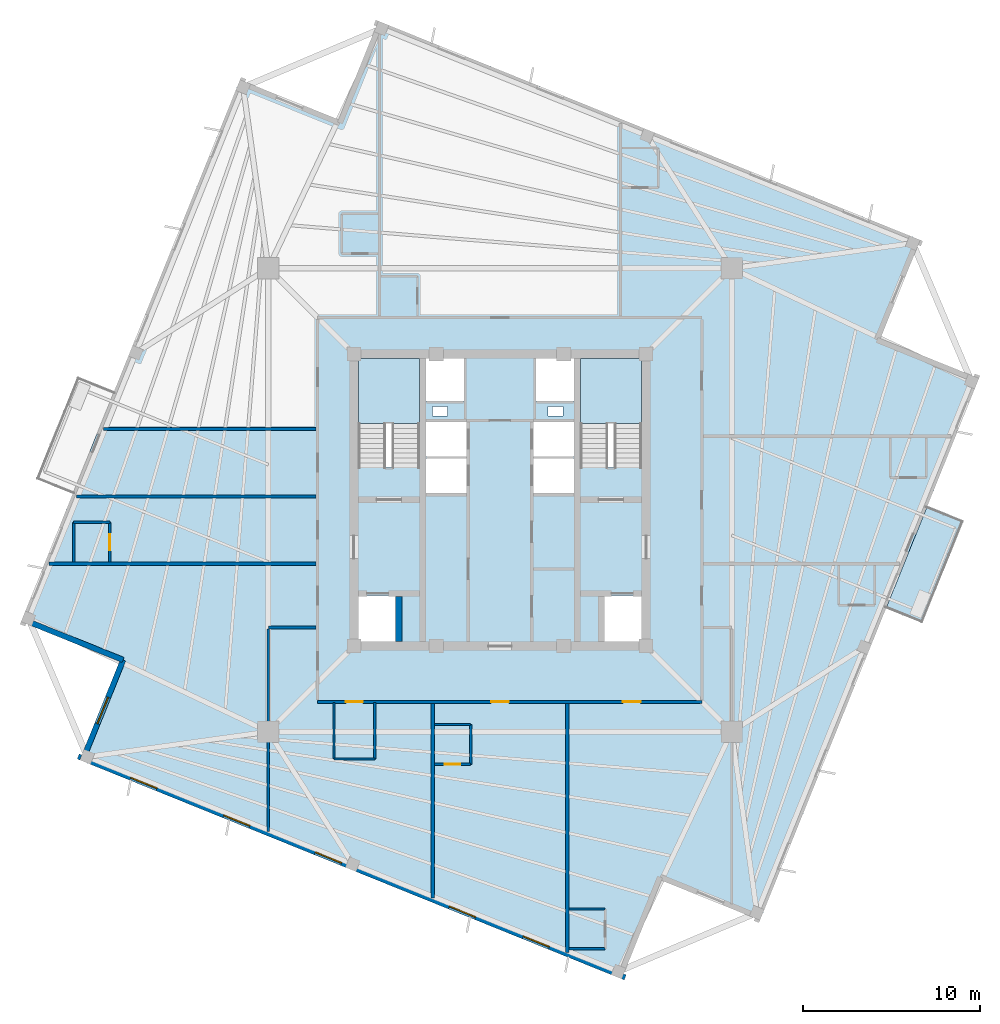
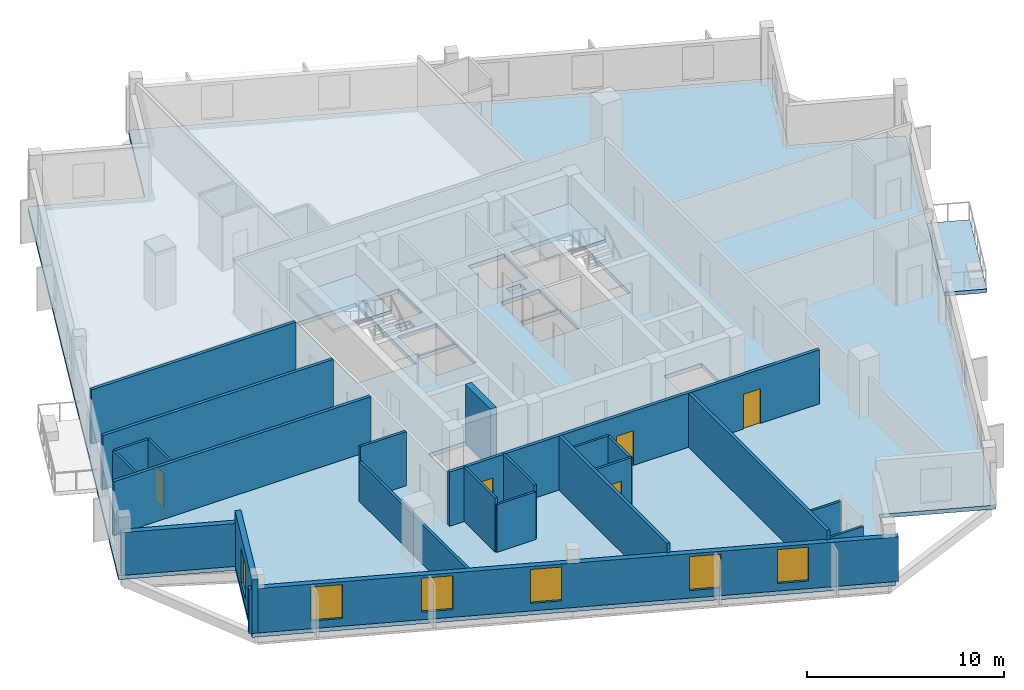
# One storey, part 2 of 8: 23 walls, 6 windows, 5 doors, 4 slabs, 11 openings, 2 elements without a shape of their own.
"""IFC4 building model written with IfcOpenShell, lengths in metres."""

from ifc_helpers import new_model, si_unit, direction, frame, frame_2d, origin, place, context, subcontext, project, spatial, polyline, rectangle, outline, extrude, source, transform, mapped, material, layer, layer_set, type_object, element, fill, aggregate, save


model = new_model("IFC4")

# Units and contexts
model_context = context("Model", 3, precision=1e-05, world=origin(), true_north=direction((0.0, 1.0)))
body_context = subcontext(model_context, "Body", "Model", "MODEL_VIEW")
ifc_project = project(units=[si_unit("LENGTHUNIT", "METRE"), si_unit("AREAUNIT", "SQUARE_METRE"), si_unit("VOLUMEUNIT", "CUBIC_METRE"), si_unit("PLANEANGLEUNIT", "RADIAN"), si_unit("MASSUNIT", "GRAM", prefix="KILO"), si_unit("THERMODYNAMICTEMPERATUREUNIT", "KELVIN")], contexts=[model_context])

# Site, building, storey
site_placement = place(None, origin())
site = spatial("IfcSite", under=ifc_project, at=site_placement, CompositionType="ELEMENT")
building_placement = place(site_placement, origin())
building = spatial("IfcBuilding", under=site, at=building_placement, Name="Kosmvard Interchange Tower", CompositionType="ELEMENT")
storey_placement = place(building_placement, frame((0.0, 0.0, 268.800048828125)))
storey = spatial("IfcBuildingStorey", under=building, at=storey_placement, Name="L65", CompositionType="ELEMENT", Elevation=268.800048828125)

# Slab
ifc_material_1 = material(Name="Concrete C50/60", Category="concrete")
ifc_layer_1 = layer(ifc_material_1, 0.25, Name="Concrete C50/60")
ifc_layer_set_1 = layer_set([ifc_layer_1], Name="Concrete C50/60")
slab_type_1 = type_object("IfcSlabType", Name="Hotel Acoustic Floor Slab 250 C50/60", PredefinedType="FLOOR", material=ifc_layer_set_1)
slab_1_placement = place(storey_placement, frame((0.0, 0.0, -0.25)))
element("IfcSlab", 1, at=slab_1_placement, inside=storey, type_object=slab_type_1, Name="L65 Structural Floor Slab", PredefinedType="FLOOR", context=body_context, shape_type="SweptSolid", body=[
    extrude(outline(polyline([(14.6806640625, -23.727294921875), (27.042724609375, 6.869873046875), (21.4794921875, 9.117431640625), (23.727294921875, 14.6806640625), (-6.869873046875, 27.042724609375), (-9.117431640625, 21.4794921875), (-14.6806640625, 23.727294921875), (-27.042724609375, -6.869873046875), (-21.4794921875, -9.117431640625), (-23.727294921875, -14.6806640625), (6.869873046875, -27.042724609375), (9.117431640625, -21.4794921875), (14.6806640625, -23.727294921875)]), holes=[polyline([(-8.0, 1.8349609375), (-4.5400390625, 1.8349609375), (-4.5400390625, 8.0), (-8.0, 8.0), (-8.0, 1.8349609375)]), polyline([(4.5400390625, 1.8349609375), (8.0, 1.8349609375), (8.0, 8.0), (4.5400390625, 8.0), (4.5400390625, 1.8349609375)]), polyline([(-8.0, -8.0), (-5.800048828125, -8.0), (-5.800048828125, -5.39990234375), (-8.0, -5.39990234375), (-8.0, -8.0)]), polyline([(5.800048828125, -8.0), (8.0, -8.0), (8.0, -5.39990234375), (5.800048828125, -5.39990234375), (5.800048828125, -8.0)]), polyline([(-4.179931640625, 0.39990234375), (-1.8798828125, 0.39990234375), (-1.8798828125, 2.340087890625), (-4.179931640625, 2.340087890625), (-4.179931640625, 0.39990234375)]), polyline([(-4.179931640625, 2.4599609375), (-1.8798828125, 2.4599609375), (-1.8798828125, 4.39990234375), (-4.179931640625, 4.39990234375), (-4.179931640625, 2.4599609375)]), polyline([(1.8798828125, 0.39990234375), (4.179931640625, 0.39990234375), (4.179931640625, 2.340087890625), (1.8798828125, 2.340087890625), (1.8798828125, 0.39990234375)]), polyline([(1.8798828125, 2.4599609375), (4.179931640625, 2.4599609375), (4.179931640625, 4.39990234375), (1.8798828125, 4.39990234375), (1.8798828125, 2.4599609375)]), polyline([(-4.179931640625, 5.60009765625), (-2.0400390625, 5.60009765625), (-2.0400390625, 8.0), (-4.179931640625, 8.0), (-4.179931640625, 5.60009765625)]), polyline([(2.0400390625, 5.60009765625), (4.179931640625, 5.60009765625), (4.179931640625, 8.0), (2.0400390625, 8.0), (2.0400390625, 5.60009765625)]), polyline([(-3.81494140625, 4.739990234375), (-2.965087890625, 4.739990234375), (-2.965087890625, 5.2900390625), (-3.81494140625, 5.2900390625), (-3.81494140625, 4.739990234375)]), polyline([(2.715087890625, 4.739990234375), (3.56494140625, 4.739990234375), (3.56494140625, 5.2900390625), (2.715087890625, 5.2900390625), (2.715087890625, 4.739990234375)])]), origin(), (0.0, 0.0, 1.0), 0.25),
])

# Stair, slab
stair_type = type_object("IfcStairType", Name="Dog-Leg Core Exit Stair H3600 C50/60", PredefinedType="HALF_TURN_STAIR", material=ifc_material_1)
stair_1_placement = place(storey_placement, origin())
stair_1 = element("IfcStair", 2, at=stair_1_placement, inside=storey, type_object=stair_type, Name="L65 Protected Exit Stair ST-1", PredefinedType="HALF_TURN_STAIR")
ifc_layer_2 = layer(ifc_material_1, 0.199951171875, Name="Concrete C50/60")
ifc_layer_set_2 = layer_set([ifc_layer_2], Name="Concrete C50/60")
slab_type_2 = type_object("IfcSlabType", Name="Stair Half-Landing Slab 200 C50/60", PredefinedType="LANDING", material=ifc_layer_set_2)
slab_2_placement = place(storey_placement, frame((0.0, 0.0, 1.599853515625)))
slab_2 = element("IfcSlab", 3, at=slab_2_placement, type_object=slab_type_2, Name="ST-1 landing 1", PredefinedType="LANDING", context=body_context, shape_type="SweptSolid", body=[
    extrude(outline(polyline([(-4.5400390625, 4.320068359375), (-4.5400390625, 8.0), (-8.0, 8.0), (-8.0, 4.320068359375), (-4.5400390625, 4.320068359375)])), origin(), (0.0, 0.0, 1.0), 0.2001953125),
])
aggregate(stair_1, [slab_2])

stair_2_placement = place(storey_placement, origin())
stair_2 = element("IfcStair", 4, at=stair_2_placement, inside=storey, type_object=stair_type, Name="L65 Protected Exit Stair ST-2", PredefinedType="HALF_TURN_STAIR")
slab_3_placement = place(storey_placement, frame((0.0, 0.0, 1.599853515625)))
slab_3 = element("IfcSlab", 5, at=slab_3_placement, type_object=slab_type_2, Name="ST-2 landing 1", PredefinedType="LANDING", context=body_context, shape_type="SweptSolid", body=[
    extrude(outline(polyline([(8.0, 4.320068359375), (8.0, 8.0), (4.5400390625, 8.0), (4.5400390625, 4.320068359375), (8.0, 4.320068359375)])), origin(), (0.0, 0.0, 1.0), 0.2001953125),
])
aggregate(stair_2, [slab_3])

# Slab
ifc_layer_3 = layer(ifc_material_1, 0.22998046875, Name="Concrete C50/60")
ifc_layer_set_3 = layer_set([ifc_layer_3], Name="Concrete C50/60")
slab_type_3 = type_object("IfcSlabType", Name="Tree-Planter Cantilever Balcony Slab 230 C50/60", PredefinedType="FLOOR", material=ifc_layer_set_3)
slab_4_placement = place(storey_placement, frame((0.0, 0.0, -0.22998046875)))
element("IfcSlab", 6, at=slab_4_placement, inside=storey, type_object=slab_type_3, Name="L65 Outdoor Terrace Balcony Slab BAL-L65-SW", PredefinedType="FLOOR", context=body_context, shape_type="SweptSolid", body=[
    extrude(outline(polyline([(23.837890625, -6.934814453125), (26.160400390625, -1.186279296875), (24.12060546875, -0.362060546875), (21.798095703125, -6.110595703125), (23.837890625, -6.934814453125)])), origin(), (0.0, 0.0, 1.0), 0.22998046875),
])

# Walls
ifc_material_2 = material(Name="Acoustic gypsum partition system")
ifc_layer_4 = layer(ifc_material_2, 0.14990234375, Name="Acoustic gypsum partition system")
ifc_layer_set_4 = layer_set([ifc_layer_4], Name="Acoustic gypsum partition system")
wall_type_1 = type_object("IfcWallType", Name="Acoustic Suite & Meeting Partition 150", PredefinedType="PARTITIONING", material=ifc_layer_set_4)
wall_1_placement = place(storey_placement, frame((-10.39501953125, -7.199951171875, 0.0), z_axis=(0.0, 0.0, 1.0), x_axis=(-1.0, 0.0, 0.0)))
element("IfcWall", 7, at=wall_1_placement, inside=storey, type_object=wall_type_1, Name="L65 Room Partition 12.1", PredefinedType="PARTITIONING", context=body_context, shape_type="SweptSolid", body=[
    extrude(rectangle(XDim=2.68603515625, YDim=0.14990234375, at=frame_2d((1.343017578125, 0.0))), origin(), (0.0, 0.0, 1.0), 3.349853515625),
])
wall_2_placement = place(storey_placement, frame((-13.0810546875, -7.27490234375, 0.0), z_axis=(0.0, 0.0, 1.0), x_axis=(0.0, -1.0, 0.0)))
element("IfcWall", 8, at=wall_2_placement, inside=storey, type_object=wall_type_1, Name="L65 Room Partition 13.1", PredefinedType="PARTITIONING", context=body_context, shape_type="SweptSolid", body=[
    extrude(rectangle(XDim=11.44287109375, YDim=0.14990234375, at=frame_2d((5.721435546875, 0.0))), origin(), (0.0, 0.0, 1.0), 2.449951171875),
])

# Wall, openings, doors
ifc_material_3 = material(Name="Fire-rated gypsum partition system")
ifc_layer_5 = layer(ifc_material_3, 0.179931640625, Name="Fire-rated gypsum partition system")
ifc_layer_set_5 = layer_set([ifc_layer_5], Name="Fire-rated gypsum partition system")
wall_type_2 = type_object("IfcWallType", Name="Corridor & Hotel Compartment Partition 180", PredefinedType="PARTITIONING", material=ifc_layer_set_5)
wall_3_placement = place(storey_placement, frame((-10.300048828125, -11.39990234375, 0.0), z_axis=(0.0, 0.0, 1.0), x_axis=(1.0, 0.0, 0.0)))
wall_3 = element("IfcWall", 9, at=wall_3_placement, inside=storey, type_object=wall_type_2, Name="L65 Corridor Wall CS", PredefinedType="PARTITIONING", context=body_context, shape_type="SweptSolid", body=[
    extrude(rectangle(XDim=21.699951171875, YDim=0.179931640625, at=frame_2d((10.85009765625, 0.0))), origin(), (0.0, 0.0, 1.0), 3.349853515625),
])
opening_1_placement = place(wall_3_placement, frame((1.60498046875, 0.0, 0.0)))
opening_1 = element("IfcOpeningElement", 10, at=opening_1_placement, cuts=wall_3, Name="Opening L65-D01", PredefinedType="OPENING", context=body_context, shape_type="SweptSolid", body=[
    extrude(rectangle(XDim=0.949951171875, YDim=2.10009765625, at=frame_2d((0.47509765625, 1.050048828125))), frame((0.0, 0.10009765625, 0.0), z_axis=(0.0, -1.0, 0.0), x_axis=(1.0, 0.0, 0.0)), (0.0, 0.0, 1.0), 0.199951171875),
])
opening_2_placement = place(wall_3_placement, frame((17.235595703125, 0.0, 0.0)))
opening_2 = element("IfcOpeningElement", 11, at=opening_2_placement, cuts=wall_3, Name="Opening L65-D13", PredefinedType="OPENING", context=body_context, shape_type="SweptSolid", body=[
    extrude(rectangle(XDim=1.0, YDim=2.14990234375, at=frame_2d((0.5, 1.074951171875))), frame((0.0, 0.10009765625, 0.0), z_axis=(0.0, -1.0, 0.0), x_axis=(1.0, 0.0, 0.0)), (0.0, 0.0, 1.0), 0.199951171875),
])
opening_3_placement = place(wall_3_placement, frame((9.800048828125, 0.0, 0.0)))
opening_3 = element("IfcOpeningElement", 12, at=opening_3_placement, cuts=wall_3, Name="Opening L65-D15", PredefinedType="OPENING", context=body_context, shape_type="SweptSolid", body=[
    extrude(rectangle(XDim=1.0, YDim=2.14990234375, at=frame_2d((0.5, 1.074951171875))), frame((0.0, 0.10009765625, 0.0), z_axis=(0.0, -1.0, 0.0), x_axis=(1.0, 0.0, 0.0)), (0.0, 0.0, 1.0), 0.199951171875),
])
ifc_material_4 = material(Name="Laminated moisture-resistant timber", Category="wood")
door_type_1 = type_object("IfcDoorType", Name="Accessible Washroom Door 950x2100", OperationType="NOTDEFINED", PredefinedType="DOOR", material=ifc_material_4)
shared_shape_1 = source(origin(), body_context, "Body", "SweptSolid", [
    extrude(rectangle(XDim=0.949951171875, YDim=2.10009765625, at=frame_2d((0.47509765625, 1.050048828125))), frame((0.0, 0.02490234375, 0.0), z_axis=(0.0, -1.0, 0.0), x_axis=(1.0, 0.0, 0.0)), (0.0, 0.0, 1.0), 0.050048828125),
])
door_1_placement = place(opening_1_placement, frame((0.949951171875, 0.0, 0.0), z_axis=(0.0, 0.0, 1.0), x_axis=(-1.0, 0.0, 0.0)))
door_1 = element("IfcDoor", 13, at=door_1_placement, inside=storey, type_object=door_type_1, Name="L65 Accessible Guest Toilet Door", OperationType="SINGLE_SWING_LEFT", OverallHeight=2.10009765625, OverallWidth=0.949951171875, PredefinedType="DOOR", context=body_context, shape_type="MappedRepresentation", body=[
    mapped(shared_shape_1, transform((0.0, 0.0, 0.0), scale=1.0)),
])
fill(opening_1, door_1)
ifc_material_5 = material(Name="Engineered oak fire-rated timber", Category="wood")
door_type_2 = type_object("IfcDoorType", Name="Hotel Guestroom Entrance Door 1000x2150 EI60", OperationType="NOTDEFINED", PredefinedType="DOOR", material=ifc_material_5)
shared_shape_2 = source(origin(), body_context, "Body", "SweptSolid", [
    extrude(rectangle(XDim=1.0, YDim=2.14990234375, at=frame_2d((0.5, 1.074951171875))), frame((0.0, 0.02490234375, 0.0), z_axis=(0.0, -1.0, 0.0), x_axis=(1.0, 0.0, 0.0)), (0.0, 0.0, 1.0), 0.050048828125),
])
door_2_placement = place(opening_2_placement, frame((1.0, 0.0, 0.0), z_axis=(0.0, 0.0, 1.0), x_axis=(-1.0, 0.0, 0.0)))
door_2 = element("IfcDoor", 14, at=door_2_placement, inside=storey, type_object=door_type_2, Name="L65 Hotel Deluxe Junior Suite 4 Door", OperationType="SINGLE_SWING_LEFT", OverallHeight=2.14990234375, OverallWidth=1.0, PredefinedType="DOOR", context=body_context, shape_type="MappedRepresentation", body=[
    mapped(shared_shape_2, transform((0.0, 0.0, 0.0), scale=1.0)),
])
fill(opening_2, door_2)
door_3_placement = place(opening_3_placement, frame((1.0, 0.0, 0.0), z_axis=(0.0, 0.0, 1.0), x_axis=(-1.0, 0.0, 0.0)))
door_3 = element("IfcDoor", 15, at=door_3_placement, inside=storey, type_object=door_type_2, Name="L65 Hotel South-West Corner Suite 3 Door", OperationType="SINGLE_SWING_LEFT", OverallHeight=2.14990234375, OverallWidth=1.0, PredefinedType="DOOR", context=body_context, shape_type="MappedRepresentation", body=[
    mapped(shared_shape_2, transform((0.0, 0.0, 0.0), scale=1.0)),
])
fill(opening_3, door_3)

# Walls
wall_4_placement = place(storey_placement, frame((3.800048828125, -11.4951171875, 0.0), z_axis=(0.0, 0.0, 1.0), x_axis=(0.0, -1.0, 0.0)))
element("IfcWall", 16, at=wall_4_placement, inside=storey, type_object=wall_type_2, Name="L65 Room Partition 05.1", PredefinedType="PARTITIONING", context=body_context, shape_type="SweptSolid", body=[
    extrude(rectangle(XDim=14.04296875, YDim=0.179931640625, at=frame_2d((7.021484375, 0.0))), origin(), (0.0, 0.0, 1.0), 3.349853515625),
])
wall_5_placement = place(storey_placement, frame((-3.800048828125, -11.4951171875, 0.0), z_axis=(0.0, 0.0, 1.0), x_axis=(0.0, -1.0, 0.0)))
element("IfcWall", 17, at=wall_5_placement, inside=storey, type_object=wall_type_2, Name="L65 Room Partition 06.1", PredefinedType="PARTITIONING", context=body_context, shape_type="SweptSolid", body=[
    extrude(rectangle(XDim=10.972412109375, YDim=0.179931640625, at=frame_2d((5.486328125, 0.0))), origin(), (0.0, 0.0, 1.0), 3.349853515625),
])
wall_6_placement = place(storey_placement, frame((-10.39501953125, -3.60009765625, 0.0), z_axis=(0.0, 0.0, 1.0), x_axis=(-1.0, 0.0, 0.0)))
element("IfcWall", 18, at=wall_6_placement, inside=storey, type_object=wall_type_2, Name="L65 Room Partition 07.1", PredefinedType="PARTITIONING", context=body_context, shape_type="SweptSolid", body=[
    extrude(rectangle(XDim=15.062255859375, YDim=0.179931640625, at=frame_2d((7.53125, 0.0))), origin(), (0.0, 0.0, 1.0), 3.349853515625),
])
wall_7_placement = place(storey_placement, frame((-10.39501953125, 0.199951171875, 0.0), z_axis=(0.0, 0.0, 1.0), x_axis=(-1.0, 0.0, 0.0)))
element("IfcWall", 19, at=wall_7_placement, inside=storey, type_object=wall_type_2, Name="L65 Room Partition 08.1", PredefinedType="PARTITIONING", context=body_context, shape_type="SweptSolid", body=[
    extrude(rectangle(XDim=13.52685546875, YDim=0.179931640625, at=frame_2d((6.763427734375, 0.0))), origin(), (0.0, 0.0, 1.0), 3.349853515625),
])
wall_8_placement = place(storey_placement, frame((-10.39501953125, 4.0, 0.0), z_axis=(0.0, 0.0, 1.0), x_axis=(-1.0, 0.0, 0.0)))
element("IfcWall", 20, at=wall_8_placement, inside=storey, type_object=wall_type_2, Name="L65 Room Partition 09.1", PredefinedType="PARTITIONING", context=body_context, shape_type="SweptSolid", body=[
    extrude(rectangle(XDim=11.99169921875, YDim=0.179931640625, at=frame_2d((5.995849609375, 0.0))), origin(), (0.0, 0.0, 1.0), 3.349853515625),
])
ifc_material_6 = material(Name="Concrete C60/75", Category="concrete")
ifc_layer_6 = layer(ifc_material_6, 0.360107421875, Name="Concrete C60/75")
ifc_layer_set_6 = layer_set([ifc_layer_6], Name="Concrete C60/75")
wall_type_3 = type_object("IfcWallType", Name="Stair & Lift Shaft Shear Wall 360 C60/75", PredefinedType="SHEAR", material=ifc_layer_set_6)
wall_9_placement = place(storey_placement, frame((-5.7099609375, -8.0, 0.0), z_axis=(0.0, 0.0, 1.0), x_axis=(0.0, 1.0, 0.0)))
element("IfcWall", 21, at=wall_9_placement, inside=storey, type_object=wall_type_3, Name="L65 Shaft Shear Wall SW-SM1", PredefinedType="SHEAR", context=body_context, shape_type="SweptSolid", body=[
    extrude(rectangle(XDim=2.5400390625, YDim=0.360107421875, at=frame_2d((1.27001953125, 0.0))), origin(), (0.0, 0.0, 1.0), 3.599853515625),
])
ifc_material_7 = material(Name="Precast concrete C45/55", Category="concrete")
ifc_layer_7 = layer(ifc_material_7, 0.31005859375, Name="Precast concrete C45/55")
ifc_layer_set_7 = layer_set([ifc_layer_7], Name="Precast concrete C45/55")
wall_type_4 = type_object("IfcWallType", Name="Upper Tower Precast Pier Wall 310 C45/55", PredefinedType="STANDARD", material=ifc_layer_set_7)
wall_10_placement = place(storey_placement, frame((-26.8408203125, -6.7841796875, 0.0), z_axis=(0.0, 0.0, 1.0), x_axis=(0.927171722085, -0.374636620962, 0.0)))
element("IfcWall", 22, at=wall_10_placement, inside=storey, type_object=wall_type_4, Name="L65 Precast Facade Wall N-NW1", PredefinedType="STANDARD", context=body_context, shape_type="SweptSolid", body=[
    extrude(rectangle(XDim=6.0, YDim=0.31005859375, at=frame_2d((3.0, 0.0))), origin(), (0.0, 0.0, 1.0), 2.64990234375),
])

# Wall, opening, window
wall_11_placement = place(storey_placement, frame((-21.27783203125, -9.031982421875, 0.0), z_axis=(0.0, 0.0, 1.0), x_axis=(-0.374602739196, -0.927185411764, 0.0)))
wall_11 = element("IfcWall", 23, at=wall_11_placement, inside=storey, type_object=wall_type_4, Name="L65 Precast Facade Wall N-NW2", PredefinedType="STANDARD", context=body_context, shape_type="SweptSolid", body=[
    extrude(rectangle(XDim=6.155029296875, YDim=0.31005859375, at=frame_2d((3.07763671875, 0.0))), origin(), (0.0, 0.0, 1.0), 3.349853515625),
])
opening_4_placement = place(wall_11_placement, frame((2.277587890625, 0.0, 0.469970703125)))
opening_4 = element("IfcOpeningElement", 24, at=opening_4_placement, cuts=wall_11, Name="Opening L65-W22", PredefinedType="OPENING", context=body_context, shape_type="SweptSolid", body=[
    extrude(rectangle(XDim=1.60009765625, YDim=2.10009765625, at=frame_2d((0.800048828125, 1.050048828125))), frame((0.0, 0.1650390625, 0.0), z_axis=(0.0, -1.0, 0.0), x_axis=(1.0, 0.0, 0.0)), (0.0, 0.0, 1.0), 0.330078125),
])
ifc_material_8 = material(Name="Low-E acoustic double glazing", Category="glass")
window_type = type_object("IfcWindowType", Name="Zone 5 Hotel Punched Window 1600x2100", PartitioningType="SINGLE_PANEL", PredefinedType="WINDOW", material=ifc_material_8)
shared_shape_3 = source(origin(), body_context, "Body", "SweptSolid", [
    extrude(rectangle(XDim=1.60009765625, YDim=2.10009765625, at=frame_2d((0.800048828125, 1.050048828125))), frame((0.0, 0.030029296875, 0.0), z_axis=(0.0, -1.0, 0.0), x_axis=(1.0, 0.0, 0.0)), (0.0, 0.0, 1.0), 0.06005859375),
])
window_1_placement = place(opening_4_placement, origin())
window_1 = element("IfcWindow", 25, at=window_1_placement, inside=storey, type_object=window_type, Name="L65 Corner Notch Window 22", OverallHeight=2.10009765625, OverallWidth=1.60009765625, PartitioningType="SINGLE_PANEL", PredefinedType="WINDOW", context=body_context, shape_type="MappedRepresentation", body=[
    mapped(shared_shape_3, transform((0.0, 0.0, 0.0), scale=1.0)),
])
fill(opening_4, window_1)

# Wall, openings, windows
wall_12_placement = place(storey_placement, frame((-23.812744140625, -14.478759765625, 0.0), z_axis=(0.0, 0.0, 1.0), x_axis=(0.927182657188, -0.374609557019, 0.0)))
wall_12 = element("IfcWall", 26, at=wall_12_placement, inside=storey, type_object=wall_type_4, Name="L65 Precast Facade Wall F-W", PredefinedType="STANDARD", context=body_context, shape_type="SweptSolid", body=[
    extrude(rectangle(XDim=33.31005859375, YDim=0.31005859375, at=frame_2d((16.655029296875, 0.0))), origin(), (0.0, 0.0, 1.0), 2.75),
])
opening_5_placement = place(wall_12_placement, frame((3.197265625, 0.0, 0.469970703125)))
opening_5 = element("IfcOpeningElement", 27, at=opening_5_placement, cuts=wall_12, Name="Opening L65-W15", PredefinedType="OPENING", context=body_context, shape_type="SweptSolid", body=[
    extrude(rectangle(XDim=1.60009765625, YDim=2.10009765625, at=frame_2d((0.800048828125, 1.050048828125))), frame((0.0, 0.1650390625, 0.0), z_axis=(0.0, -1.0, 0.0), x_axis=(1.0, 0.0, 0.0)), (0.0, 0.0, 1.0), 0.330078125),
])
opening_6_placement = place(wall_12_placement, frame((8.85986328125, 0.0, 0.469970703125)))
opening_6 = element("IfcOpeningElement", 28, at=opening_6_placement, cuts=wall_12, Name="Opening L65-W16", PredefinedType="OPENING", context=body_context, shape_type="SweptSolid", body=[
    extrude(rectangle(XDim=1.60009765625, YDim=2.10009765625, at=frame_2d((0.800048828125, 1.050048828125))), frame((0.0, 0.1650390625, 0.0), z_axis=(0.0, -1.0, 0.0), x_axis=(1.0, 0.0, 0.0)), (0.0, 0.0, 1.0), 0.330078125),
])
opening_7_placement = place(wall_12_placement, frame((14.438720703125, 0.0, 0.469970703125)))
opening_7 = element("IfcOpeningElement", 29, at=opening_7_placement, cuts=wall_12, Name="Opening L65-W17", PredefinedType="OPENING", context=body_context, shape_type="SweptSolid", body=[
    extrude(rectangle(XDim=1.60009765625, YDim=2.10009765625, at=frame_2d((0.800048828125, 1.050048828125))), frame((0.0, 0.1650390625, 0.0), z_axis=(0.0, -1.0, 0.0), x_axis=(1.0, 0.0, 0.0)), (0.0, 0.0, 1.0), 0.330078125),
])
opening_8_placement = place(wall_12_placement, frame((22.600830078125, 0.0, 0.469970703125)))
opening_8 = element("IfcOpeningElement", 30, at=opening_8_placement, cuts=wall_12, Name="Opening L65-W18", PredefinedType="OPENING", context=body_context, shape_type="SweptSolid", body=[
    extrude(rectangle(XDim=1.60009765625, YDim=2.10009765625, at=frame_2d((0.800048828125, 1.050048828125))), frame((0.0, 0.1650390625, 0.0), z_axis=(0.0, -1.0, 0.0), x_axis=(1.0, 0.0, 0.0)), (0.0, 0.0, 1.0), 0.330078125),
])
opening_9_placement = place(wall_12_placement, frame((27.0966796875, 0.0, 0.469970703125)))
opening_9 = element("IfcOpeningElement", 31, at=opening_9_placement, cuts=wall_12, Name="Opening L65-W19", PredefinedType="OPENING", context=body_context, shape_type="SweptSolid", body=[
    extrude(rectangle(XDim=1.60009765625, YDim=2.10009765625, at=frame_2d((0.800048828125, 1.050048828125))), frame((0.0, 0.1650390625, 0.0), z_axis=(0.0, -1.0, 0.0), x_axis=(1.0, 0.0, 0.0)), (0.0, 0.0, 1.0), 0.330078125),
])
window_2_placement = place(opening_5_placement, origin())
window_2 = element("IfcWindow", 32, at=window_2_placement, inside=storey, type_object=window_type, Name="L65 Facade Punched Window 15", OverallHeight=2.10009765625, OverallWidth=1.60009765625, PartitioningType="SINGLE_PANEL", PredefinedType="WINDOW", context=body_context, shape_type="MappedRepresentation", body=[
    mapped(shared_shape_3, transform((0.0, 0.0, 0.0), scale=1.0)),
])
fill(opening_5, window_2)
window_3_placement = place(opening_6_placement, origin())
window_3 = element("IfcWindow", 33, at=window_3_placement, inside=storey, type_object=window_type, Name="L65 Facade Punched Window 16", OverallHeight=2.10009765625, OverallWidth=1.60009765625, PartitioningType="SINGLE_PANEL", PredefinedType="WINDOW", context=body_context, shape_type="MappedRepresentation", body=[
    mapped(shared_shape_3, transform((0.0, 0.0, 0.0), scale=1.0)),
])
fill(opening_6, window_3)
window_4_placement = place(opening_7_placement, origin())
window_4 = element("IfcWindow", 34, at=window_4_placement, inside=storey, type_object=window_type, Name="L65 Facade Punched Window 17", OverallHeight=2.10009765625, OverallWidth=1.60009765625, PartitioningType="SINGLE_PANEL", PredefinedType="WINDOW", context=body_context, shape_type="MappedRepresentation", body=[
    mapped(shared_shape_3, transform((0.0, 0.0, 0.0), scale=1.0)),
])
fill(opening_7, window_4)
window_5_placement = place(opening_8_placement, origin())
window_5 = element("IfcWindow", 35, at=window_5_placement, inside=storey, type_object=window_type, Name="L65 Facade Punched Window 18", OverallHeight=2.10009765625, OverallWidth=1.60009765625, PartitioningType="SINGLE_PANEL", PredefinedType="WINDOW", context=body_context, shape_type="MappedRepresentation", body=[
    mapped(shared_shape_3, transform((0.0, 0.0, 0.0), scale=1.0)),
])
fill(opening_8, window_5)
window_6_placement = place(opening_9_placement, origin())
window_6 = element("IfcWindow", 36, at=window_6_placement, inside=storey, type_object=window_type, Name="L65 Facade Punched Window 19", OverallHeight=2.10009765625, OverallWidth=1.60009765625, PartitioningType="SINGLE_PANEL", PredefinedType="WINDOW", context=body_context, shape_type="MappedRepresentation", body=[
    mapped(shared_shape_3, transform((0.0, 0.0, 0.0), scale=1.0)),
])
fill(opening_9, window_6)

# Walls
ifc_material_9 = material(Name="Moisture-resistant gypsum partition")
ifc_layer_8 = layer(ifc_material_9, 0.135009765625, Name="Moisture-resistant gypsum partition")
ifc_layer_set_8 = layer_set([ifc_layer_8], Name="Moisture-resistant gypsum partition")
wall_type_5 = type_object("IfcWallType", Name="Wet Room Moisture-Resistant Partition 135", PredefinedType="PARTITIONING", material=ifc_layer_set_8)
wall_13_placement = place(storey_placement, frame((-9.3701171875, -14.6201171875, 0.0), z_axis=(0.0, 0.0, 1.0), x_axis=(1.0, 0.0, 0.0)))
element("IfcWall", 37, at=wall_13_placement, inside=storey, type_object=wall_type_5, Name="L65 Washroom Partition HAWC-S", PredefinedType="PARTITIONING", context=body_context, shape_type="SweptSolid", body=[
    extrude(rectangle(XDim=2.300048828125, YDim=0.135009765625, at=frame_2d((1.14990234375, 0.0))), origin(), (0.0, 0.0, 1.0), 2.949951171875),
])
for number, where, z_axis, x_axis, name in (
    (38, (-7.070068359375, -14.6201171875, 0.0), (0.0, 0.0, 1.0), (0.0, 1.0, 0.0), "L65 Washroom Partition HAWC-E"),
    (39, (-9.3701171875, -14.6201171875, 0.0), (0.0, 0.0, 1.0), (0.0, 1.0, 0.0), "L65 Washroom Partition HAWC-W"),
):
    element("IfcWall", number, at=place(storey_placement, frame(where, z_axis=z_axis, x_axis=x_axis)), inside=storey, type_object=wall_type_5, Name=name, PredefinedType="PARTITIONING", context=body_context, shape_type="SweptSolid", body=[
        extrude(rectangle(XDim=3.2001953125, YDim=0.135009765625, at=frame_2d((1.60009765625, 0.0))), origin(), (0.0, 0.0, 1.0), 3.349853515625),
    ])
wall_14_placement = place(storey_placement, frame((3.889892578125, -25.341552734375, 0.0), z_axis=(0.0, 0.0, 1.0), x_axis=(1.0, 0.0, 0.0)))
element("IfcWall", 40, at=wall_14_placement, inside=storey, type_object=wall_type_5, Name="L65 En-Suite Partition HGR4-S", PredefinedType="PARTITIONING", context=body_context, shape_type="SweptSolid", body=[
    extrude(rectangle(XDim=2.050048828125, YDim=0.135009765625, at=frame_2d((1.02490234375, 0.0))), origin(), (0.0, 0.0, 1.0), 2.75),
])
wall_15_placement = place(storey_placement, frame((3.889892578125, -23.091552734375, 0.0), z_axis=(0.0, 0.0, 1.0), x_axis=(1.0, 0.0, 0.0)))
element("IfcWall", 41, at=wall_15_placement, inside=storey, type_object=wall_type_5, Name="L65 En-Suite Partition HGR4-N", PredefinedType="PARTITIONING", context=body_context, shape_type="SweptSolid", body=[
    extrude(rectangle(XDim=2.050048828125, YDim=0.135009765625, at=frame_2d((1.02490234375, 0.0))), origin(), (0.0, 0.0, 1.0), 2.949951171875),
])

# Wall, opening, door
wall_16_placement = place(storey_placement, frame((-3.7099609375, -14.925048828125, 0.0), z_axis=(0.0, 0.0, 1.0), x_axis=(1.0, 0.0, 0.0)))
wall_16 = element("IfcWall", 42, at=wall_16_placement, inside=storey, type_object=wall_type_5, Name="L65 En-Suite Partition HCS3-S", PredefinedType="PARTITIONING", context=body_context, shape_type="SweptSolid", body=[
    extrude(rectangle(XDim=2.050048828125, YDim=0.135009765625, at=frame_2d((1.02490234375, 0.0))), origin(), (0.0, 0.0, 1.0), 3.349853515625),
])
opening_10_placement = place(wall_16_placement, frame((0.5849609375, 0.0, 0.0)))
opening_10 = element("IfcOpeningElement", 43, at=opening_10_placement, cuts=wall_16, Name="Opening L65-ED16", PredefinedType="OPENING", context=body_context, shape_type="SweptSolid", body=[
    extrude(rectangle(XDim=0.8798828125, YDim=2.10009765625, at=frame_2d((0.43994140625, 1.050048828125))), frame((0.0, 0.07763671875, 0.0), z_axis=(0.0, -1.0, 0.0), x_axis=(1.0, 0.0, 0.0)), (0.0, 0.0, 1.0), 0.155029296875),
])
door_type_3 = type_object("IfcDoorType", Name="En-Suite & Washroom Door 880x2100", OperationType="NOTDEFINED", PredefinedType="DOOR", material=ifc_material_4)
shared_shape_4 = source(origin(), body_context, "Body", "SweptSolid", [
    extrude(rectangle(XDim=0.8798828125, YDim=2.10009765625, at=frame_2d((0.43994140625, 1.050048828125))), frame((0.0, 0.02490234375, 0.0), z_axis=(0.0, -1.0, 0.0), x_axis=(1.0, 0.0, 0.0)), (0.0, 0.0, 1.0), 0.050048828125),
])
door_4_placement = place(opening_10_placement, origin())
door_4 = element("IfcDoor", 44, at=door_4_placement, inside=storey, type_object=door_type_3, Name="L65 HCS3 En-Suite Door", OperationType="SINGLE_SWING_LEFT", OverallHeight=2.10009765625, OverallWidth=0.8798828125, PredefinedType="DOOR", context=body_context, shape_type="MappedRepresentation", body=[
    mapped(shared_shape_4, transform((0.0, 0.0, 0.0), scale=1.0)),
])
fill(opening_10, door_4)

# Walls
wall_17_placement = place(storey_placement, frame((-1.659912109375, -14.925048828125, 0.0), z_axis=(0.0, 0.0, 1.0), x_axis=(0.0, 1.0, 0.0)))
element("IfcWall", 45, at=wall_17_placement, inside=storey, type_object=wall_type_5, Name="L65 En-Suite Partition HCS3-E", PredefinedType="PARTITIONING", context=body_context, shape_type="SweptSolid", body=[
    extrude(rectangle(XDim=2.25, YDim=0.135009765625, at=frame_2d((1.125, 0.0))), origin(), (0.0, 0.0, 1.0), 3.349853515625),
])
wall_18_placement = place(storey_placement, frame((-3.7099609375, -12.675048828125, 0.0), z_axis=(0.0, 0.0, 1.0), x_axis=(1.0, 0.0, 0.0)))
element("IfcWall", 46, at=wall_18_placement, inside=storey, type_object=wall_type_5, Name="L65 En-Suite Partition HCS3-N", PredefinedType="PARTITIONING", context=body_context, shape_type="SweptSolid", body=[
    extrude(rectangle(XDim=2.050048828125, YDim=0.135009765625, at=frame_2d((1.02490234375, 0.0))), origin(), (0.0, 0.0, 1.0), 3.349853515625),
])

# Wall, opening, door
wall_19_placement = place(storey_placement, frame((-22.02392578125, -3.510009765625, 0.0), z_axis=(0.0, 0.0, 1.0), x_axis=(0.0, 1.0, 0.0)))
wall_19 = element("IfcWall", 47, at=wall_19_placement, inside=storey, type_object=wall_type_5, Name="L65 En-Suite Partition HGR5-E", PredefinedType="PARTITIONING", context=body_context, shape_type="SweptSolid", body=[
    extrude(rectangle(XDim=2.25, YDim=0.135009765625, at=frame_2d((1.125, 0.0))), origin(), (0.0, 0.0, 1.0), 3.349853515625),
])
opening_11_placement = place(wall_19_placement, frame((0.68505859375, 0.0, 0.0)))
opening_11 = element("IfcOpeningElement", 48, at=opening_11_placement, cuts=wall_19, Name="Opening L65-ED20", PredefinedType="OPENING", context=body_context, shape_type="SweptSolid", body=[
    extrude(rectangle(XDim=0.8798828125, YDim=2.10009765625, at=frame_2d((0.43994140625, 1.050048828125))), frame((0.0, 0.07763671875, 0.0), z_axis=(0.0, -1.0, 0.0), x_axis=(1.0, 0.0, 0.0)), (0.0, 0.0, 1.0), 0.155029296875),
])
door_5_placement = place(opening_11_placement, origin())
door_5 = element("IfcDoor", 49, at=door_5_placement, inside=storey, type_object=door_type_3, Name="L65 HGR5 En-Suite Door", OperationType="SINGLE_SWING_LEFT", OverallHeight=2.10009765625, OverallWidth=0.8798828125, PredefinedType="DOOR", context=body_context, shape_type="MappedRepresentation", body=[
    mapped(shared_shape_4, transform((0.0, 0.0, 0.0), scale=1.0)),
])
fill(opening_11, door_5)

# Walls
wall_20_placement = place(storey_placement, frame((-24.073974609375, -1.260009765625, 0.0), z_axis=(0.0, 0.0, 1.0), x_axis=(1.0, 0.0, 0.0)))
element("IfcWall", 50, at=wall_20_placement, inside=storey, type_object=wall_type_5, Name="L65 En-Suite Partition HGR5-N", PredefinedType="PARTITIONING", context=body_context, shape_type="SweptSolid", body=[
    extrude(rectangle(XDim=2.050048828125, YDim=0.135009765625, at=frame_2d((1.02490234375, 0.0))), origin(), (0.0, 0.0, 1.0), 3.349853515625),
])
wall_21_placement = place(storey_placement, frame((-24.073974609375, -3.510009765625, 0.0), z_axis=(0.0, 0.0, 1.0), x_axis=(0.0, 1.0, 0.0)))
element("IfcWall", 51, at=wall_21_placement, inside=storey, type_object=wall_type_5, Name="L65 En-Suite Partition HGR5-W", PredefinedType="PARTITIONING", context=body_context, shape_type="SweptSolid", body=[
    extrude(rectangle(XDim=2.25, YDim=0.135009765625, at=frame_2d((1.125, 0.0))), origin(), (0.0, 0.0, 1.0), 3.349853515625),
])

save(model, "model.ifc")
